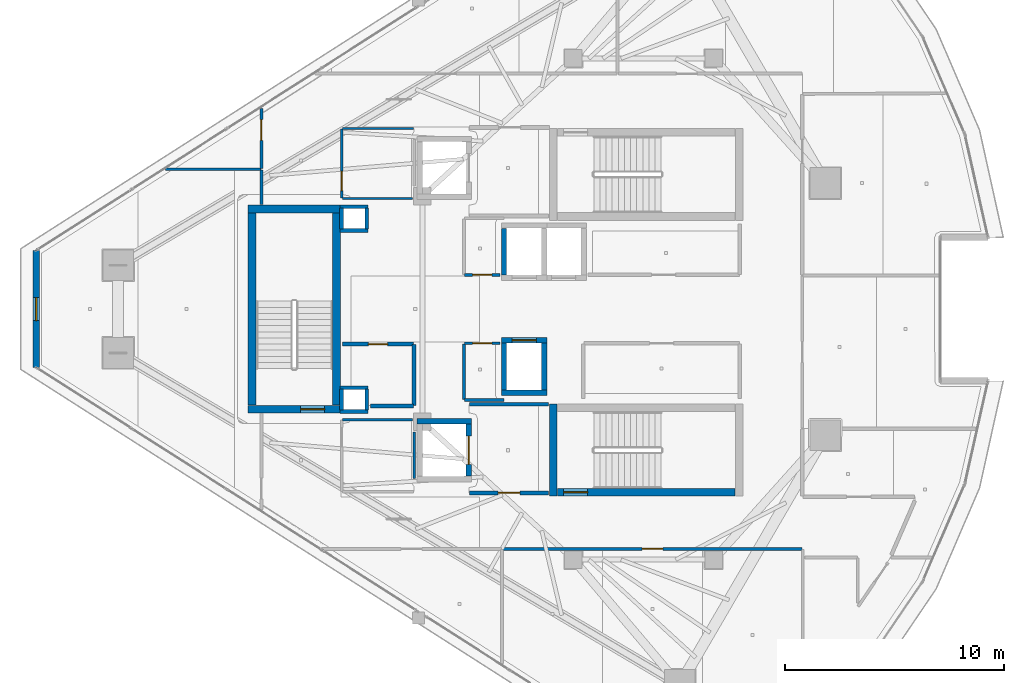
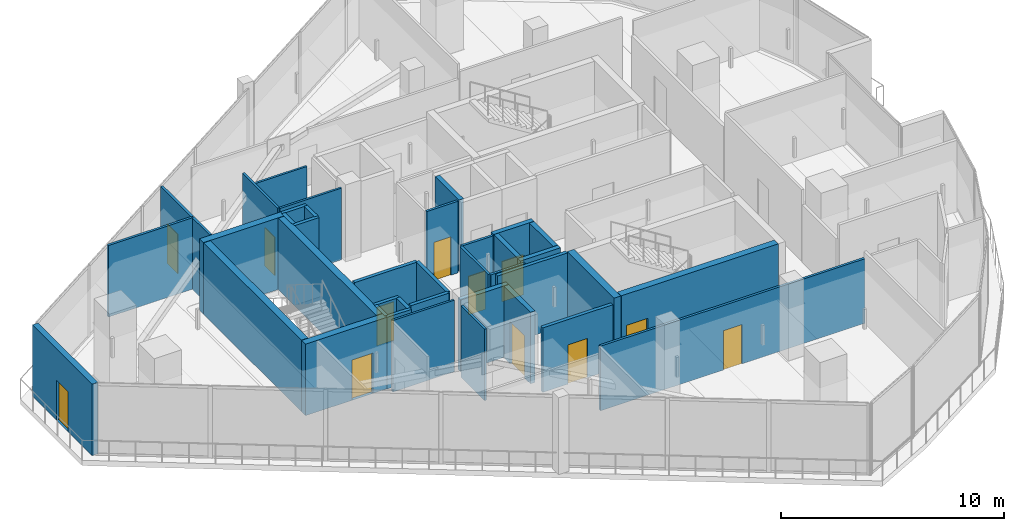
# One storey, part 17 of 25: 40 walls, 12 doors, 12 openings.
"""IFC4 building model written with IfcOpenShell, lengths in metres."""

import ifcopenshell
import ifcopenshell.guid

model = None  # the IFC model being written
_history = None  # IfcOwnerHistory: only IFC2X3 demands one
_inside = {}  # id of a spatial element -> (the spatial element, [elements in it])
_under = {}  # id of a project, library or spatial element -> (it, [spatial elements below it])
_declared = {}  # id of a project -> (the project, [libraries it declares])
_typed = {}  # id of a type object -> (the type object, [elements of that type])
_made_of = {}  # id of a material, layer set ... -> (it, [elements and type objects made of it])


def new_model(schema):
    """Start an empty IFC model of exactly this schema.

    Asked for "IFC4X3", IfcOpenShell would pick the latest addendum, in which some entities
    have other attributes; the version numbers below select the first issue.
    IFC2X3 requires an IfcOwnerHistory on every rooted entity: one is made here for all.
    """
    global model, _history
    if schema == "IFC4X3":
        model = ifcopenshell.file(schema_version=(4, 3, 0, 0))
    else:
        model = ifcopenshell.file(schema=schema)
    _inside.clear()
    _under.clear()
    _declared.clear()
    _typed.clear()
    _made_of.clear()
    _history = None
    if model.schema == "IFC2X3":
        org = make("IfcOrganization", Name="unknown")
        user = make(
            "IfcPersonAndOrganization",
            ThePerson=make("IfcPerson", FamilyName="unknown"),
            TheOrganization=org,
        )
        app = make(
            "IfcApplication",
            ApplicationDeveloper=org,
            Version="unknown",
            ApplicationFullName="unknown",
            ApplicationIdentifier="unknown",
        )
        _history = make(
            "IfcOwnerHistory",
            OwningUser=user,
            OwningApplication=app,
            ChangeAction="ADDED",
            CreationDate=0,
        )
    return model


def make(cls, **values):
    """One entity of the class cls with the attributes given. An attribute that is None is left unset."""
    return model.create_entity(
        cls, **{name: value for name, value in values.items() if value is not None}
    )


def rooted(cls, **values):
    """An entity with a GlobalId (a new one), such as an element, a storey or a relation."""
    return make(cls, GlobalId=ifcopenshell.guid.new(), OwnerHistory=_history, **values)


def si_unit(unit_type, name, prefix=None):
    """IfcSIUnit, for example si_unit("LENGTHUNIT", "METRE", prefix="MILLI")."""
    return make("IfcSIUnit", UnitType=unit_type, Prefix=prefix, Name=name)


def assignment(units):
    """IfcUnitAssignment: the units of a project."""
    return None if units is None else make("IfcUnitAssignment", Units=units)


def point(xyz):
    """IfcCartesianPoint."""
    return None if xyz is None else make("IfcCartesianPoint", Coordinates=xyz)


def direction(xyz):
    """IfcDirection."""
    return None if xyz is None else make("IfcDirection", DirectionRatios=xyz)


def frame(location, z_axis=None, x_axis=None):
    """IfcAxis2Placement3D, a coordinate frame: its origin and axes. An axis left out is left unset."""
    return make(
        "IfcAxis2Placement3D",
        Location=point(location),
        Axis=direction(z_axis),
        RefDirection=direction(x_axis),
    )


def frame_2d(location, x_axis=None):
    """IfcAxis2Placement2D, a coordinate frame in the plane: its origin and x axis."""
    return make(
        "IfcAxis2Placement2D", Location=point(location), RefDirection=direction(x_axis)
    )


def origin():
    """The frame at (0, 0, 0) with its axes left unset."""
    return frame((0.0, 0.0, 0.0))


def place(relative_to, where):
    """IfcLocalPlacement: puts the frame where relative to a parent placement (None: the world)."""
    return make(
        "IfcLocalPlacement", PlacementRelTo=relative_to, RelativePlacement=where
    )


def context(
    kind, dimensions, precision=None, world=None, true_north=None, identifier=None
):
    """IfcGeometricRepresentationContext, for example the 3D "Model" context."""
    return make(
        "IfcGeometricRepresentationContext",
        ContextIdentifier=identifier,
        ContextType=kind,
        CoordinateSpaceDimension=dimensions,
        Precision=precision,
        WorldCoordinateSystem=world,
        TrueNorth=true_north,
    )


def subcontext(parent, identifier, kind, view, scale=None):
    """IfcGeometricRepresentationSubContext, for example "Body" below "Model"."""
    return make(
        "IfcGeometricRepresentationSubContext",
        ContextIdentifier=identifier,
        ContextType=kind,
        ParentContext=parent,
        TargetScale=scale,
        TargetView=view,
    )


def project(units=None, contexts=None):
    """IfcProject with its units and contexts."""
    return rooted(
        "IfcProject",
        Name="project",
        RepresentationContexts=contexts,
        UnitsInContext=assignment(units),
    )


def spatial(cls, under=None, at=None, **own):
    """A site, building, storey or space (cls), placed at a placement, below another one or the project."""
    s = rooted(cls, ObjectPlacement=at, **own)
    if under is not None:
        _under.setdefault(under.id(), (under, []))[1].append(s)
    return s


def profile(cls, at=None, kind="AREA", **sizes):
    """A parametric profile (cls). Its sizes go by their IFC names, for example OverallWidth=200.0."""
    return make(cls, ProfileType=kind, Position=at, **sizes)


def rectangle(**sizes):
    """IfcRectangleProfileDef."""
    return profile("IfcRectangleProfileDef", **sizes)


def extrude(swept, where, along, depth):
    """IfcExtrudedAreaSolid: the profile swept, set in the frame where, extruded along a direction by depth."""
    return make(
        "IfcExtrudedAreaSolid",
        SweptArea=swept,
        Position=where,
        ExtrudedDirection=direction(along),
        Depth=depth,
    )


def shape(context_of_items, identifier, shape_type, items):
    """IfcShapeRepresentation: the items that make up one representation, for example the "Body"."""
    return make(
        "IfcShapeRepresentation",
        ContextOfItems=context_of_items,
        RepresentationIdentifier=identifier,
        RepresentationType=shape_type,
        Items=items,
    )


def material(Name=None, Category=None):
    """IfcMaterial."""
    return make("IfcMaterial", Name=Name, Category=Category)


def layer(
    of_material, thickness, ventilated=None, Name=None, Category=None, Priority=None
):
    """IfcMaterialLayer: one layer of a wall or slab, of a material (None: an air gap)."""
    return make(
        "IfcMaterialLayer",
        Material=of_material,
        LayerThickness=thickness,
        IsVentilated=ventilated,
        Name=Name,
        Category=Category,
        Priority=Priority,
    )


def layer_set(layers, Name=None):
    """IfcMaterialLayerSet."""
    return make("IfcMaterialLayerSet", MaterialLayers=layers, LayerSetName=Name)


def made_of(thing, what):
    """Note that an element or type object is made of a material, layer set ...; save() writes the relation."""
    if what is not None:
        _made_of.setdefault(what.id(), (what, []))[1].append(thing)
    return thing


def type_object(cls, material=None, **own):
    """A type object (cls), such as IfcWallType, which elements share."""
    return made_of(rooted(cls, **own), material)


def element(
    cls,
    number,
    at=None,
    inside=None,
    cuts=None,
    type_object=None,
    material=None,
    context=None,
    identifier="Body",
    shape_type=None,
    held_by="IfcProductDefinitionShape",
    body=None,
    shapes=None,
    **own,
):
    """One element of the class cls, such as IfcWall. Its Tag is "e" and its number.

    at: its placement. inside: the storey or other place that contains it. cuts: it is an
    opening in that element (IfcRelVoidsElement). A single representation is given by context,
    identifier, shape_type and body (its items); several are given by shapes. held_by: the class
    of the entity that holds the representations. save() writes the other relations.
    """
    e = rooted(cls, Tag="e%d" % number, ObjectPlacement=at, **own)
    if body is not None:
        shapes = [shape(context, identifier, shape_type, body)]
    if shapes is not None:
        e.Representation = make(held_by, Representations=shapes)
    if inside is not None:
        _inside.setdefault(inside.id(), (inside, []))[1].append(e)
    if cuts is not None:
        rooted(
            "IfcRelVoidsElement", RelatingBuildingElement=cuts, RelatedOpeningElement=e
        )
    if type_object is not None:
        _typed.setdefault(type_object.id(), (type_object, []))[1].append(e)
    return made_of(e, material)


def fill(opening, filler):
    """IfcRelFillsElement: the door or window that sits in an opening."""
    return rooted(
        "IfcRelFillsElement",
        RelatingOpeningElement=opening,
        RelatedBuildingElement=filler,
    )


def aggregate(whole, parts):
    """IfcRelAggregates: a whole, such as a stair, and the parts it consists of."""
    return rooted("IfcRelAggregates", RelatingObject=whole, RelatedObjects=parts)


def save(model, path):
    """Write the relations noted so far, then the file.

    IfcRelAggregates (storeys below a building ...), IfcRelContainedInSpatialStructure (elements
    in a storey), IfcRelDefinesByType, IfcRelAssociatesMaterial and IfcRelDeclares: one each for
    every whole, place, type object, material and project.
    """
    for whole, parts in _under.values():
        aggregate(whole, parts)
    for where, things in _inside.values():
        rooted(
            "IfcRelContainedInSpatialStructure",
            RelatedElements=things,
            RelatingStructure=where,
        )
    for kind, things in _typed.values():
        rooted("IfcRelDefinesByType", RelatedObjects=things, RelatingType=kind)
    for what, things in _made_of.values():
        rooted("IfcRelAssociatesMaterial", RelatedObjects=things, RelatingMaterial=what)
    for by, libraries in _declared.values():
        rooted("IfcRelDeclares", RelatingContext=by, RelatedDefinitions=libraries)
    model.write(path)


model = new_model("IFC4")

# Units and contexts
model_context = context("Model", 3, precision=1e-05, world=origin(), true_north=direction((0.0, 1.0)))
body_context = subcontext(model_context, "Body", "Model", "MODEL_VIEW")
ifc_project = project(units=[si_unit("LENGTHUNIT", "METRE"), si_unit("AREAUNIT", "SQUARE_METRE"), si_unit("VOLUMEUNIT", "CUBIC_METRE"), si_unit("PLANEANGLEUNIT", "RADIAN"), si_unit("MASSUNIT", "GRAM", prefix="KILO")], contexts=[model_context])

# Site, building, storey
site_placement = place(None, origin())
site = spatial("IfcSite", under=ifc_project, at=site_placement, CompositionType="ELEMENT")
building_placement = place(site_placement, origin())
building = spatial("IfcBuilding", under=site, at=building_placement, Name="Qorvath Tower", CompositionType="ELEMENT")
storey_placement = place(building_placement, frame((0.0, 0.0, 314.39990234375)))
storey = spatial("IfcBuildingStorey", under=building, at=storey_placement, Name="L73", CompositionType="ELEMENT", Elevation=314.39990234375)

# Walls
ifc_material_1 = material(Name="Gypsum shaftliner on steel studs", Category="steel")
ifc_layer_1 = layer(ifc_material_1, 0.179931640625)
ifc_layer_set_1 = layer_set([ifc_layer_1], Name="FW-LOBBY")
wall_type_1 = type_object("IfcWallType", Name="FW-LOBBY", PredefinedType="PARTITIONING", material=ifc_layer_set_1)
for number, where, z_axis, x_axis, name in (
    (1, (-32.989990234375, 3.594970703125, 0.0), (0.0, 0.0, 1.0), (-1.0, 0.0, 0.0), "MEP Riser Shaft Enclosure Wall N-L73-S"),
    (2, (-34.260009765625, 4.675048828125, 0.0), (0.0, 0.0, 1.0), (1.0, 0.0, 0.0), "MEP Riser Shaft Enclosure Wall N-L73-N"),
):
    element("IfcWall", number, at=place(storey_placement, frame(where, z_axis=z_axis, x_axis=x_axis)), inside=storey, type_object=wall_type_1, Name=name, PredefinedType="PARTITIONING", context=body_context, shape_type="SweptSolid", body=[
        extrude(rectangle(XDim=1.27001953125, YDim=0.179931640625, at=frame_2d((0.635009765625, 0.0))), origin(), (0.0, 0.0, 1.0), 3.91015625),
    ])
for number, where, z_axis, x_axis, name in (
    (3, (-34.205078125, 3.659912109375, 0.0), (0.0, 0.0, 1.0), (0.0, 1.0, 0.0), "MEP Riser Shaft Enclosure Wall N-L73-W"),
    (4, (-33.044921875, 4.610107421875, 0.0), (0.0, 0.0, 1.0), (0.0, -1.0, 0.0), "MEP Riser Shaft Enclosure Wall N-L73-E"),
):
    element("IfcWall", number, at=place(storey_placement, frame(where, z_axis=z_axis, x_axis=x_axis)), inside=storey, type_object=wall_type_1, Name=name, PredefinedType="PARTITIONING", context=body_context, shape_type="SweptSolid", body=[
        extrude(rectangle(XDim=0.9501953125, YDim=0.179931640625, at=frame_2d((0.47509765625, 0.0))), origin(), (0.0, 0.0, 1.0), 3.91015625),
    ])
for number, where, z_axis, x_axis, name in (
    (5, (-32.989990234375, -4.675048828125, 0.0), (0.0, 0.0, 1.0), (-1.0, 0.0, 0.0), "MEP Riser Shaft Enclosure Wall S-L73-S"),
    (6, (-34.260009765625, -3.594970703125, 0.0), (0.0, 0.0, 1.0), (1.0, 0.0, 0.0), "MEP Riser Shaft Enclosure Wall S-L73-N"),
):
    element("IfcWall", number, at=place(storey_placement, frame(where, z_axis=z_axis, x_axis=x_axis)), inside=storey, type_object=wall_type_1, Name=name, PredefinedType="PARTITIONING", context=body_context, shape_type="SweptSolid", body=[
        extrude(rectangle(XDim=1.27001953125, YDim=0.179931640625, at=frame_2d((0.635009765625, 0.0))), origin(), (0.0, 0.0, 1.0), 3.91015625),
    ])
for number, where, z_axis, x_axis, name in (
    (7, (-34.205078125, -4.610107421875, 0.0), (0.0, 0.0, 1.0), (0.0, 1.0, 0.0), "MEP Riser Shaft Enclosure Wall S-L73-W"),
    (8, (-33.044921875, -3.659912109375, 0.0), (0.0, 0.0, 1.0), (0.0, -1.0, 0.0), "MEP Riser Shaft Enclosure Wall S-L73-E"),
):
    element("IfcWall", number, at=place(storey_placement, frame(where, z_axis=z_axis, x_axis=x_axis)), inside=storey, type_object=wall_type_1, Name=name, PredefinedType="PARTITIONING", context=body_context, shape_type="SweptSolid", body=[
        extrude(rectangle(XDim=0.9501953125, YDim=0.179931640625, at=frame_2d((0.47509765625, 0.0))), origin(), (0.0, 0.0, 1.0), 3.91015625),
    ])

# Wall, opening, door
wall_1_placement = place(storey_placement, frame((-28.35498046875, -8.39990234375, 0.0), z_axis=(0.0, 0.0, 1.0), x_axis=(1.0, 0.0, 0.0)))
wall_1 = element("IfcWall", 9, at=wall_1_placement, inside=storey, type_object=wall_type_1, Name="Interior Partition IW-T1-L73-003", PredefinedType="PARTITIONING", context=body_context, shape_type="SweptSolid", body=[
    extrude(rectangle(XDim=3.6220703125, YDim=0.179931640625, at=frame_2d((1.81103515625, 0.0))), origin(), (0.0, 0.0, 1.0), 3.529052734375),
])
opening_1_placement = place(wall_1_placement, frame((1.31103515625, 0.0, 0.0)))
opening_1 = element("IfcOpeningElement", 10, at=opening_1_placement, cuts=wall_1, Name="Opening D-T1-L73-17", PredefinedType="OPENING", context=body_context, shape_type="SweptSolid", body=[
    extrude(rectangle(XDim=1.0, YDim=2.14990234375, at=frame_2d((0.5, 1.074951171875))), frame((0.0, 0.10009765625, 0.0), z_axis=(0.0, -1.0, 0.0), x_axis=(1.0, 0.0, 0.0)), (0.0, 0.0, 1.0), 0.199951171875),
])
ifc_material_2 = material(Name="Painted galvanised hollow metal", Category="steel")
door_type_1 = type_object("IfcDoorType", Name="FD-60", OperationType="NOTDEFINED", PredefinedType="DOOR", material=ifc_material_2)
door_1_placement = place(opening_1_placement, origin())
door_1 = element("IfcDoor", 11, at=door_1_placement, inside=storey, type_object=door_type_1, Name="Lobby Fire Service Elevator South Door D-T1-L73-17", OperationType="SINGLE_SWING_RIGHT", OverallHeight=2.14990234375, OverallWidth=1.0, PredefinedType="DOOR", context=body_context, shape_type="SweptSolid", body=[
    extrude(rectangle(XDim=1.0, YDim=2.14990234375, at=frame_2d((0.5, 1.074951171875))), frame((0.0, 0.02490234375, 0.0), z_axis=(0.0, -1.0, 0.0), x_axis=(1.0, 0.0, 0.0)), (0.0, 0.0, 1.0), 0.050048828125),
])
fill(opening_1, door_1)

# Walls
wall_2_placement = place(storey_placement, frame((-24.73291015625, -4.35009765625, 0.0), z_axis=(0.0, 0.0, 1.0), x_axis=(-1.0, 0.0, 0.0)))
element("IfcWall", 12, at=wall_2_placement, inside=storey, type_object=wall_type_1, Name="Interior Partition IW-T1-L73-004", PredefinedType="PARTITIONING", context=body_context, shape_type="SweptSolid", body=[
    extrude(rectangle(XDim=3.6220703125, YDim=0.179931640625, at=frame_2d((1.81103515625, 0.0))), origin(), (0.0, 0.0, 1.0), 3.91015625),
])
wall_3_placement = place(storey_placement, frame((-32.8798828125, -4.419921875, 0.0), z_axis=(0.0, 0.0, 1.0), x_axis=(1.0, 0.0, 0.0)))
element("IfcWall", 13, at=wall_3_placement, inside=storey, type_object=wall_type_1, Name="Interior Partition IW-T1-L73-024", PredefinedType="PARTITIONING", context=body_context, shape_type="SweptSolid", body=[
    extrude(rectangle(XDim=1.97509765625, YDim=0.179931640625, at=frame_2d((0.987548828125, 0.0))), origin(), (0.0, 0.0, 1.0), 3.91015625),
])
wall_4_placement = place(storey_placement, frame((-30.8798828125, -4.39501953125, 0.0), z_axis=(0.0, 0.0, 1.0), x_axis=(0.0, 1.0, 0.0)))
element("IfcWall", 14, at=wall_4_placement, inside=storey, type_object=wall_type_1, Name="Interior Partition IW-T1-L73-025", PredefinedType="PARTITIONING", context=body_context, shape_type="SweptSolid", body=[
    extrude(rectangle(XDim=2.77001953125, YDim=0.179931640625, at=frame_2d((1.385009765625, 0.0))), origin(), (0.0, 0.0, 1.0), 3.91015625),
])

# Wall, opening, door
wall_5_placement = place(storey_placement, frame((-30.90478515625, -1.60009765625, 0.0), z_axis=(0.0, 0.0, 1.0), x_axis=(-1.0, 0.0, 0.0)))
wall_5 = element("IfcWall", 15, at=wall_5_placement, inside=storey, type_object=wall_type_1, Name="Interior Partition IW-T1-L73-026", PredefinedType="PARTITIONING", context=body_context, shape_type="SweptSolid", body=[
    extrude(rectangle(XDim=3.25, YDim=0.179931640625, at=frame_2d((1.625, 0.0))), origin(), (0.0, 0.0, 1.0), 3.91015625),
])
opening_2_placement = place(wall_5_placement, frame((1.18505859375, 0.0, 0.0)))
opening_2 = element("IfcOpeningElement", 16, at=opening_2_placement, cuts=wall_5, Name="Opening D-T1-L73-07", PredefinedType="OPENING", context=body_context, shape_type="SweptSolid", body=[
    extrude(rectangle(XDim=0.8798828125, YDim=2.10009765625, at=frame_2d((0.43994140625, 1.050048828125))), frame((0.0, 0.10009765625, 0.0), z_axis=(0.0, -1.0, 0.0), x_axis=(1.0, 0.0, 0.0)), (0.0, 0.0, 1.0), 0.199951171875),
])
ifc_material_3 = material(Name="Painted galvanised hollow metal", Category="steel")
door_type_2 = type_object("IfcDoorType", Name="FD-60N", OperationType="NOTDEFINED", PredefinedType="DOOR", material=ifc_material_3)
door_2_placement = place(opening_2_placement, origin())
door_2 = element("IfcDoor", 17, at=door_2_placement, inside=storey, type_object=door_type_2, Name="Core cleaner and electrical room L73 Door D-T1-L73-07", OperationType="SINGLE_SWING_RIGHT", OverallHeight=2.10009765625, OverallWidth=0.8798828125, PredefinedType="DOOR", context=body_context, shape_type="SweptSolid", body=[
    extrude(rectangle(XDim=0.8798828125, YDim=2.10009765625, at=frame_2d((0.43994140625, 1.050048828125))), frame((0.0, 0.02490234375, 0.0), z_axis=(0.0, -1.0, 0.0), x_axis=(1.0, 0.0, 0.0)), (0.0, 0.0, 1.0), 0.050048828125),
])
fill(opening_2, door_2)

ifc_material_4 = material(Name="Gypsum board on metal studs with mineral wool", Category="gypsum")
ifc_layer_2 = layer(ifc_material_4, 0.125)
ifc_layer_set_2 = layer_set([ifc_layer_2], Name="IW-PART-125")
wall_type_2 = type_object("IfcWallType", Name="IW-PART-125", PredefinedType="PARTITIONING", material=ifc_layer_set_2)
wall_6_placement = place(storey_placement, frame((-28.5751953125, 1.56005859375, 0.0), z_axis=(0.0, 0.0, 1.0), x_axis=(1.0, 0.0, 0.0)))
wall_6 = element("IfcWall", 18, at=wall_6_placement, inside=storey, type_object=wall_type_2, Name="Interior Partition IW-T1-L73-019", PredefinedType="PARTITIONING", context=body_context, shape_type="SweptSolid", body=[
    extrude(rectangle(XDim=1.609130859375, YDim=0.125, at=frame_2d((0.8046875, 0.0))), origin(), (0.0, 0.0, 1.0), 3.91015625),
])
opening_3_placement = place(wall_6_placement, frame((0.364501953125, 0.0, 0.0)))
opening_3 = element("IfcOpeningElement", 19, at=opening_3_placement, cuts=wall_6, Name="Opening D-T1-L73-05", PredefinedType="OPENING", context=body_context, shape_type="SweptSolid", body=[
    extrude(rectangle(XDim=0.8798828125, YDim=2.10009765625, at=frame_2d((0.43994140625, 1.050048828125))), frame((0.0, 0.072509765625, 0.0), z_axis=(0.0, -1.0, 0.0), x_axis=(1.0, 0.0, 0.0)), (0.0, 0.0, 1.0), 0.14501953125),
])
ifc_material_5 = material(Name="Solid-core oak with acoustic drop seal", Category="wood")
door_type_3 = type_object("IfcDoorType", Name="D-02", OperationType="NOTDEFINED", PredefinedType="DOOR", material=ifc_material_5)
door_3_placement = place(opening_3_placement, origin())
door_3 = element("IfcDoor", 20, at=door_3_placement, inside=storey, type_object=door_type_3, Name="L73-RCWN Executive Archive Suite Door D-T1-L73-05", OperationType="SINGLE_SWING_RIGHT", OverallHeight=2.10009765625, OverallWidth=0.8798828125, PredefinedType="DOOR", context=body_context, shape_type="SweptSolid", body=[
    extrude(rectangle(XDim=0.8798828125, YDim=2.10009765625, at=frame_2d((0.43994140625, 1.050048828125))), frame((0.0, 0.02490234375, 0.0), z_axis=(0.0, -1.0, 0.0), x_axis=(1.0, 0.0, 0.0)), (0.0, 0.0, 1.0), 0.050048828125),
])
fill(opening_3, door_3)

# Walls
wall_7_placement = place(storey_placement, frame((-28.60009765625, -1.585205078125, 0.0), z_axis=(0.0, 0.0, 1.0), x_axis=(0.0, -1.0, 0.0)))
element("IfcWall", 21, at=wall_7_placement, inside=storey, type_object=wall_type_2, Name="Interior Partition IW-T1-L73-021", PredefinedType="PARTITIONING", context=body_context, shape_type="SweptSolid", body=[
    extrude(rectangle(XDim=2.539794921875, YDim=0.125, at=frame_2d((1.27001953125, 0.0))), origin(), (0.0, 0.0, 1.0), 3.91015625),
])
wall_8_placement = place(storey_placement, frame((-28.5751953125, -4.14990234375, 0.0), z_axis=(0.0, 0.0, 1.0), x_axis=(1.0, 0.0, 0.0)))
element("IfcWall", 22, at=wall_8_placement, inside=storey, type_object=wall_type_2, Name="Interior Partition IW-T1-L73-022", PredefinedType="PARTITIONING", context=body_context, shape_type="SweptSolid", body=[
    extrude(rectangle(XDim=1.80029296875, YDim=0.125, at=frame_2d((0.900146484375, 0.0))), origin(), (0.0, 0.0, 1.0), 3.91015625),
])

# Wall, opening, door
wall_9_placement = place(storey_placement, frame((-26.966064453125, -1.56005859375, 0.0), z_axis=(0.0, 0.0, 1.0), x_axis=(-1.0, 0.0, 0.0)))
wall_9 = element("IfcWall", 23, at=wall_9_placement, inside=storey, type_object=wall_type_2, Name="Interior Partition IW-T1-L73-023", PredefinedType="PARTITIONING", context=body_context, shape_type="SweptSolid", body=[
    extrude(rectangle(XDim=1.609130859375, YDim=0.125, at=frame_2d((0.8046875, 0.0))), origin(), (0.0, 0.0, 1.0), 3.91015625),
])
opening_4_placement = place(wall_9_placement, frame((0.364501953125, 0.0, 0.0)))
opening_4 = element("IfcOpeningElement", 24, at=opening_4_placement, cuts=wall_9, Name="Opening D-T1-L73-06", PredefinedType="OPENING", context=body_context, shape_type="SweptSolid", body=[
    extrude(rectangle(XDim=0.8798828125, YDim=2.10009765625, at=frame_2d((0.43994140625, 1.050048828125))), frame((0.0, 0.072509765625, 0.0), z_axis=(0.0, -1.0, 0.0), x_axis=(1.0, 0.0, 0.0)), (0.0, 0.0, 1.0), 0.14501953125),
])
door_4_placement = place(opening_4_placement, origin())
door_4 = element("IfcDoor", 25, at=door_4_placement, inside=storey, type_object=door_type_3, Name="L73-RCWS Executive Archive Suite Door D-T1-L73-06", OperationType="SINGLE_SWING_LEFT", OverallHeight=2.10009765625, OverallWidth=0.8798828125, PredefinedType="DOOR", context=body_context, shape_type="SweptSolid", body=[
    extrude(rectangle(XDim=0.8798828125, YDim=2.10009765625, at=frame_2d((0.43994140625, 1.050048828125))), frame((0.0, 0.02490234375, 0.0), z_axis=(0.0, -1.0, 0.0), x_axis=(1.0, 0.0, 0.0)), (0.0, 0.0, 1.0), 0.050048828125),
])
fill(opening_4, door_4)

wall_10_placement = place(storey_placement, frame((-13.15478515625, -10.9580078125, 0.0), z_axis=(0.0, 0.0, 1.0), x_axis=(-1.0, 0.0, 0.0)))
wall_10 = element("IfcWall", 26, at=wall_10_placement, inside=storey, type_object=wall_type_2, Name="Interior Partition IW-T1-L73-033", PredefinedType="PARTITIONING", context=body_context, shape_type="SweptSolid", body=[
    extrude(rectangle(XDim=13.677001953125, YDim=0.125, at=frame_2d((6.83837890625, 0.0))), origin(), (0.0, 0.0, 1.0), 3.529052734375),
])
opening_5_placement = place(wall_10_placement, frame((6.363525390625, 0.0, 0.0)))
opening_5 = element("IfcOpeningElement", 27, at=opening_5_placement, cuts=wall_10, Name="Opening D-T1-L73-10", PredefinedType="OPENING", context=body_context, shape_type="SweptSolid", body=[
    extrude(rectangle(XDim=0.949951171875, YDim=2.14990234375, at=frame_2d((0.47509765625, 1.074951171875))), frame((0.0, 0.072509765625, 0.0), z_axis=(0.0, -1.0, 0.0), x_axis=(1.0, 0.0, 0.0)), (0.0, 0.0, 1.0), 0.14501953125),
])
ifc_material_6 = material(Name="Solid-core American white oak veneer", Category="wood")
door_type_4 = type_object("IfcDoorType", Name="D-01", OperationType="NOTDEFINED", PredefinedType="DOOR", material=ifc_material_6)
door_5_placement = place(opening_5_placement, origin())
door_5 = element("IfcDoor", 28, at=door_5_placement, inside=storey, type_object=door_type_4, Name="L73-04 Design Pin-Up Atelier Door D-T1-L73-10", OperationType="SINGLE_SWING_LEFT", OverallHeight=2.14990234375, OverallWidth=0.949951171875, PredefinedType="DOOR", context=body_context, shape_type="SweptSolid", body=[
    extrude(rectangle(XDim=0.949951171875, YDim=2.14990234375, at=frame_2d((0.47509765625, 1.074951171875))), frame((0.0, 0.02490234375, 0.0), z_axis=(0.0, -1.0, 0.0), x_axis=(1.0, 0.0, 0.0)), (0.0, 0.0, 1.0), 0.050048828125),
])
fill(opening_5, door_5)

# Walls
wall_11_placement = place(storey_placement, frame((-37.85791015625, 4.783203125, 0.0), z_axis=(0.0, 0.0, 1.0), x_axis=(0.0, 1.0, 0.0)))
element("IfcWall", 29, at=wall_11_placement, inside=storey, type_object=wall_type_2, Name="Interior Partition IW-T1-L73-047", PredefinedType="PARTITIONING", context=body_context, shape_type="SweptSolid", body=[
    extrude(rectangle(XDim=1.581298828125, YDim=0.125, at=frame_2d((0.79052734375, 0.0))), origin(), (0.0, 0.0, 1.0), 3.91015625),
])
wall_12_placement = place(storey_placement, frame((-37.8828125, 6.3896484375, 0.0), z_axis=(0.0, 0.0, 1.0), x_axis=(-0.999999998438, 5.5890901e-05, 0.0)))
element("IfcWall", 30, at=wall_12_placement, inside=storey, type_object=wall_type_2, Name="Interior Partition IW-T1-L73-048", PredefinedType="PARTITIONING", context=body_context, shape_type="SweptSolid", body=[
    extrude(rectangle(XDim=4.3681640625, YDim=0.125, at=frame_2d((2.18408203125, 0.0))), origin(), (0.0, 0.0, 1.0), 3.91015625),
])

# Wall, opening, door
wall_13_placement = place(storey_placement, frame((-37.85791015625, 6.422607421875, 0.0), z_axis=(0.0, 0.0, 1.0), x_axis=(0.0, 1.0, 0.0)))
wall_13 = element("IfcWall", 31, at=wall_13_placement, inside=storey, type_object=wall_type_2, Name="Interior Partition IW-T1-L73-049", PredefinedType="PARTITIONING", context=body_context, shape_type="SweptSolid", body=[
    extrude(rectangle(XDim=2.74609375, YDim=0.125, at=frame_2d((1.373046875, 0.0))), origin(), (0.0, 0.0, 1.0), 3.91015625),
])
opening_6_placement = place(wall_13_placement, frame((1.282958984375, 0.0, 0.0)))
opening_6 = element("IfcOpeningElement", 32, at=opening_6_placement, cuts=wall_13, Name="Opening D-T1-L73-15", PredefinedType="OPENING", context=body_context, shape_type="SweptSolid", body=[
    extrude(rectangle(XDim=0.949951171875, YDim=2.14990234375, at=frame_2d((0.47509765625, 1.074951171875))), frame((0.0, 0.072509765625, 0.0), z_axis=(0.0, -1.0, 0.0), x_axis=(1.0, 0.0, 0.0)), (0.0, 0.0, 1.0), 0.14501953125),
])
door_6_placement = place(opening_6_placement, origin())
door_6 = element("IfcDoor", 33, at=door_6_placement, inside=storey, type_object=door_type_4, Name="L73-10 Staff Refreshment Pantry and Coffee Bar Door D-T1-L73-15", OperationType="SINGLE_SWING_RIGHT", OverallHeight=2.14990234375, OverallWidth=0.949951171875, PredefinedType="DOOR", context=body_context, shape_type="SweptSolid", body=[
    extrude(rectangle(XDim=0.949951171875, YDim=2.14990234375, at=frame_2d((0.47509765625, 1.074951171875))), frame((0.0, 0.02490234375, 0.0), z_axis=(0.0, -1.0, 0.0), x_axis=(1.0, 0.0, 0.0)), (0.0, 0.0, 1.0), 0.050048828125),
])
fill(opening_6, door_6)

ifc_material_7 = material(Name="Moisture-resistant cement board on metal studs", Category="gypsum")
ifc_layer_3 = layer(ifc_material_7, 0.110107421875)
ifc_layer_set_3 = layer_set([ifc_layer_3], Name="IW-WC-110")
wall_type_3 = type_object("IfcWallType", Name="IW-WC-110", PredefinedType="PARTITIONING", material=ifc_layer_set_3)
wall_14_placement = place(storey_placement, frame((-34.179931640625, 8.22509765625, 0.0), z_axis=(0.0, 0.0, 1.0), x_axis=(0.0, -1.0, 0.0)))
wall_14 = element("IfcWall", 34, at=wall_14_placement, inside=storey, type_object=wall_type_3, Name="Interior Partition IW-T1-L73-005", PredefinedType="PARTITIONING", context=body_context, shape_type="SweptSolid", body=[
    extrude(rectangle(XDim=3.150146484375, YDim=0.110107421875, at=frame_2d((1.5751953125, 0.0))), origin(), (0.0, 0.0, 1.0), 3.91015625),
])
opening_7_placement = place(wall_14_placement, frame((1.93017578125, 0.0, 0.0)))
opening_7 = element("IfcOpeningElement", 35, at=opening_7_placement, cuts=wall_14, Name="Opening D-T1-L73-01", PredefinedType="OPENING", context=body_context, shape_type="SweptSolid", body=[
    extrude(rectangle(XDim=0.8798828125, YDim=2.10009765625, at=frame_2d((0.43994140625, 1.050048828125))), frame((0.0, 0.06494140625, 0.0), z_axis=(0.0, -1.0, 0.0), x_axis=(1.0, 0.0, 0.0)), (0.0, 0.0, 1.0), 0.130126953125),
])
door_7_placement = place(opening_7_placement, origin())
door_7 = element("IfcDoor", 36, at=door_7_placement, inside=storey, type_object=door_type_3, Name="Accessible WC North L73 Door D-T1-L73-01", OperationType="SINGLE_SWING_RIGHT", OverallHeight=2.10009765625, OverallWidth=0.8798828125, PredefinedType="DOOR", context=body_context, shape_type="SweptSolid", body=[
    extrude(rectangle(XDim=0.8798828125, YDim=2.10009765625, at=frame_2d((0.43994140625, 1.050048828125))), frame((0.0, 0.02490234375, 0.0), z_axis=(0.0, -1.0, 0.0), x_axis=(1.0, 0.0, 0.0)), (0.0, 0.0, 1.0), 0.050048828125),
])
fill(opening_7, door_7)

# Walls
wall_15_placement = place(storey_placement, frame((-34.15478515625, 5.050048828125, 0.0), z_axis=(0.0, 0.0, 1.0), x_axis=(1.0, 0.0, 0.0)))
element("IfcWall", 37, at=wall_15_placement, inside=storey, type_object=wall_type_3, Name="Interior Partition IW-T1-L73-006", PredefinedType="PARTITIONING", context=body_context, shape_type="SweptSolid", body=[
    extrude(rectangle(XDim=3.189697265625, YDim=0.110107421875, at=frame_2d((1.5947265625, 0.0))), origin(), (0.0, 0.0, 1.0), 3.91015625),
])
wall_16_placement = place(storey_placement, frame((-30.90478515625, 8.25, 0.0), z_axis=(0.0, 0.0, 1.0), x_axis=(-1.0, 0.0, 0.0)))
element("IfcWall", 38, at=wall_16_placement, inside=storey, type_object=wall_type_3, Name="Interior Partition IW-T1-L73-008", PredefinedType="PARTITIONING", context=body_context, shape_type="SweptSolid", body=[
    extrude(rectangle(XDim=3.25, YDim=0.110107421875, at=frame_2d((1.625, 0.0))), origin(), (0.0, 0.0, 1.0), 3.130126953125),
])
wall_17_placement = place(storey_placement, frame((-30.8798828125, -7.742919921875, 0.0), z_axis=(0.0, 0.0, 1.0), x_axis=(0.0, 1.0, 0.0)))
element("IfcWall", 39, at=wall_17_placement, inside=storey, type_object=wall_type_3, Name="Interior Partition IW-T1-L73-010", PredefinedType="PARTITIONING", context=body_context, shape_type="SweptSolid", body=[
    extrude(rectangle(XDim=2.1279296875, YDim=0.110107421875, at=frame_2d((1.06396484375, 0.0))), origin(), (0.0, 0.0, 1.0), 3.91015625),
])
wall_18_placement = place(storey_placement, frame((-30.965087890625, -5.050048828125, 0.0), z_axis=(0.0, 0.0, 1.0), x_axis=(-1.0, 0.0, 0.0)))
element("IfcWall", 40, at=wall_18_placement, inside=storey, type_object=wall_type_3, Name="Interior Partition IW-T1-L73-011", PredefinedType="PARTITIONING", context=body_context, shape_type="SweptSolid", body=[
    extrude(rectangle(XDim=3.189697265625, YDim=0.110107421875, at=frame_2d((1.5947265625, 0.0))), origin(), (0.0, 0.0, 1.0), 3.91015625),
])
ifc_material_8 = material(Name="Concrete C60/75", Category="concrete")
ifc_layer_4 = layer(ifc_material_8, 0.260009765625)
ifc_layer_set_4 = layer_set([ifc_layer_4], Name="SW-SHAFT")
wall_type_4 = type_object("IfcWallType", Name="SW-SHAFT", PredefinedType="SHEAR", material=ifc_layer_set_4)
wall_19_placement = place(storey_placement, frame((-30.739990234375, -5.1298828125, 0.0), z_axis=(0.0, 0.0, 1.0), x_axis=(1.0, 0.0, 0.0)))
element("IfcWall", 41, at=wall_19_placement, inside=storey, type_object=wall_type_4, Name="Hoistway Wall FSAE-2 L73 N", PredefinedType="SHEAR", context=body_context, shape_type="SweptSolid", body=[
    extrude(rectangle(XDim=2.47998046875, YDim=0.239990234375, at=frame_2d((1.239990234375, 0.0))), origin(), (0.0, 0.0, 1.0), 3.91015625),
])

# Wall, opening, door
wall_20_placement = place(storey_placement, frame((-28.3798828125, -5.261962890625, 0.0), z_axis=(0.0, 0.0, 1.0), x_axis=(0.0, -1.0, 0.0)))
wall_20 = element("IfcWall", 42, at=wall_20_placement, inside=storey, type_object=wall_type_4, Name="Hoistway Wall FSAE-2 L73 E", PredefinedType="SHEAR", context=body_context, shape_type="SweptSolid", body=[
    extrude(rectangle(XDim=2.3759765625, YDim=0.239990234375, at=frame_2d((1.18798828125, 0.0))), origin(), (0.0, 0.0, 1.0), 3.91015625),
])
opening_8_placement = place(wall_20_placement, frame((0.5380859375, 0.0, 0.0)))
opening_8 = element("IfcOpeningElement", 43, at=opening_8_placement, cuts=wall_20, Name="Opening LD-FSAE-2-L73", PredefinedType="OPENING", context=body_context, shape_type="SweptSolid", body=[
    extrude(rectangle(XDim=1.300048828125, YDim=2.300048828125, at=frame_2d((0.64990234375, 1.14990234375))), frame((0.0, 0.1298828125, 0.0), z_axis=(0.0, -1.0, 0.0), x_axis=(1.0, 0.0, 0.0)), (0.0, 0.0, 1.0), 0.260009765625),
])
ifc_material_9 = material(Name="Brushed stainless steel AISI 316", Category="steel")
door_type_5 = type_object("IfcDoorType", Name="LD-02", OperationType="NOTDEFINED", PredefinedType="DOOR", material=ifc_material_9)
door_8_placement = place(opening_8_placement, origin())
door_8 = element("IfcDoor", 44, at=door_8_placement, inside=storey, type_object=door_type_5, Name="Elevator Landing Sliding Door LD-FSAE-2-L73", OperationType="DOUBLE_DOOR_SLIDING", OverallHeight=2.300048828125, OverallWidth=1.300048828125, PredefinedType="DOOR", context=body_context, shape_type="SweptSolid", body=[
    extrude(rectangle(XDim=1.300048828125, YDim=2.300048828125, at=frame_2d((0.64990234375, 1.14990234375))), frame((0.0, 0.02490234375, 0.0), z_axis=(0.0, -1.0, 0.0), x_axis=(1.0, 0.0, 0.0)), (0.0, 0.0, 1.0), 0.050048828125),
])
fill(opening_8, door_8)

# Walls
wall_21_placement = place(storey_placement, frame((-26.77001953125, 1.56201171875, 0.0), z_axis=(0.0, 0.0, 1.0), x_axis=(0.0, 1.0, 0.0)))
element("IfcWall", 45, at=wall_21_placement, inside=storey, type_object=wall_type_4, Name="Hoistway Wall PH-1 L73 W", PredefinedType="SHEAR", context=body_context, shape_type="SweptSolid", body=[
    extrude(rectangle(XDim=2.1259765625, YDim=0.239990234375, at=frame_2d((1.06298828125, 0.0))), origin(), (0.0, 0.0, 1.0), 3.91015625),
])
wall_22_placement = place(storey_placement, frame((-24.81005859375, -3.820068359375, 0.0), z_axis=(0.0, 0.0, 1.0), x_axis=(-1.0, 0.0, 0.0)))
element("IfcWall", 46, at=wall_22_placement, inside=storey, type_object=wall_type_4, Name="Hoistway Wall PH-3 L73 S", PredefinedType="SHEAR", context=body_context, shape_type="SweptSolid", body=[
    extrude(rectangle(XDim=2.079833984375, YDim=0.239990234375, at=frame_2d((1.0400390625, 0.0))), origin(), (0.0, 0.0, 1.0), 3.91015625),
])

# Wall, opening, door
wall_23_placement = place(storey_placement, frame((-26.889892578125, -1.429931640625, 0.0), z_axis=(0.0, 0.0, 1.0), x_axis=(1.0, 0.0, 0.0)))
wall_23 = element("IfcWall", 47, at=wall_23_placement, inside=storey, type_object=wall_type_4, Name="Hoistway Wall PH-3 L73 N", PredefinedType="SHEAR", context=body_context, shape_type="SweptSolid", body=[
    extrude(rectangle(XDim=2.079833984375, YDim=0.239990234375, at=frame_2d((1.0400390625, 0.0))), origin(), (0.0, 0.0, 1.0), 3.91015625),
])
opening_9_placement = place(wall_23_placement, frame((0.48974609375, 0.0, 0.0)))
opening_9 = element("IfcOpeningElement", 48, at=opening_9_placement, cuts=wall_23, Name="Opening LD-PH-3-L73", PredefinedType="OPENING", context=body_context, shape_type="SweptSolid", body=[
    extrude(rectangle(XDim=1.10009765625, YDim=2.199951171875, at=frame_2d((0.550048828125, 1.10009765625))), frame((0.0, 0.1298828125, 0.0), z_axis=(0.0, -1.0, 0.0), x_axis=(1.0, 0.0, 0.0)), (0.0, 0.0, 1.0), 0.260009765625),
])
ifc_material_10 = material(Name="Brushed stainless steel AISI 316", Category="steel")
door_type_6 = type_object("IfcDoorType", Name="LD-01", OperationType="NOTDEFINED", PredefinedType="DOOR", material=ifc_material_10)
door_9_placement = place(opening_9_placement, origin())
door_9 = element("IfcDoor", 49, at=door_9_placement, inside=storey, type_object=door_type_6, Name="Elevator Landing Sliding Door LD-PH-3-L73", OperationType="DOUBLE_DOOR_SLIDING", OverallHeight=2.199951171875, OverallWidth=1.10009765625, PredefinedType="DOOR", context=body_context, shape_type="SweptSolid", body=[
    extrude(rectangle(XDim=1.10009765625, YDim=2.199951171875, at=frame_2d((0.550048828125, 1.10009765625))), frame((0.0, 0.02490234375, 0.0), z_axis=(0.0, -1.0, 0.0), x_axis=(1.0, 0.0, 0.0)), (0.0, 0.0, 1.0), 0.050048828125),
])
fill(opening_9, door_9)

# Walls
for number, where, z_axis, x_axis, name in (
    (50, (-26.77001953125, -3.68798828125, 0.0), (0.0, 0.0, 1.0), (0.0, 1.0, 0.0), "Hoistway Wall PH-3 L73 W"),
    (51, (-24.929931640625, -1.56201171875, 0.0), (0.0, 0.0, 1.0), (0.0, -1.0, 0.0), "Hoistway Wall PH-3 L73 E"),
):
    element("IfcWall", number, at=place(storey_placement, frame(where, z_axis=z_axis, x_axis=x_axis)), inside=storey, type_object=wall_type_4, Name=name, PredefinedType="SHEAR", context=body_context, shape_type="SweptSolid", body=[
        extrude(rectangle(XDim=2.1259765625, YDim=0.239990234375, at=frame_2d((1.06298828125, 0.0))), origin(), (0.0, 0.0, 1.0), 3.91015625),
    ])
ifc_material_11 = material(Name="Concrete C60/75", Category="concrete")
ifc_layer_5 = layer(ifc_material_11, 0.35009765625)
ifc_layer_set_5 = layer_set([ifc_layer_5], Name="SW-STAIR")
wall_type_5 = type_object("IfcWallType", Name="SW-STAIR", PredefinedType="SHEAR", material=ifc_layer_set_5)
wall_24_placement = place(storey_placement, frame((-24.52490234375, -4.340087890625, 0.0), z_axis=(0.0, 0.0, 1.0), x_axis=(0.0, -1.0, 0.0)))
element("IfcWall", 52, at=wall_24_placement, inside=storey, type_object=wall_type_5, Name="Stair TS2 Shear Wall L73 NEAR", PredefinedType="SHEAR", context=body_context, shape_type="SweptSolid", body=[
    extrude(rectangle(XDim=4.2099609375, YDim=0.35009765625, at=frame_2d((2.10498046875, 0.0))), origin(), (0.0, 0.0, 1.0), 3.91015625),
])

# Wall, opening, door
wall_25_placement = place(storey_placement, frame((-24.3349609375, -8.375, 0.0), z_axis=(0.0, 0.0, 1.0), x_axis=(1.0, 0.0, 0.0)))
wall_25 = element("IfcWall", 53, at=wall_25_placement, inside=storey, type_object=wall_type_5, Name="Stair TS2 Shear Wall L73 LEFT", PredefinedType="SHEAR", context=body_context, shape_type="SweptSolid", body=[
    extrude(rectangle(XDim=8.119873046875, YDim=0.35009765625, at=frame_2d((4.06005859375, 0.0))), origin(), (0.0, 0.0, 1.0), 3.91015625),
])
opening_10_placement = place(wall_25_placement, frame((0.280029296875, 0.0, 0.0)))
opening_10 = element("IfcOpeningElement", 54, at=opening_10_placement, cuts=wall_25, Name="Opening D-TS2-L73", PredefinedType="OPENING", context=body_context, shape_type="SweptSolid", body=[
    extrude(rectangle(XDim=1.10009765625, YDim=2.199951171875, at=frame_2d((0.550048828125, 1.10009765625))), frame((0.0, 0.18505859375, 0.0), z_axis=(0.0, -1.0, 0.0), x_axis=(1.0, 0.0, 0.0)), (0.0, 0.0, 1.0), 0.3701171875),
])
ifc_material_12 = material(Name="Painted galvanised hollow metal", Category="steel")
door_type_7 = type_object("IfcDoorType", Name="FD-90", OperationType="NOTDEFINED", PredefinedType="DOOR", material=ifc_material_12)
door_10_placement = place(opening_10_placement, origin())
door_10 = element("IfcDoor", 55, at=door_10_placement, inside=storey, type_object=door_type_7, Name="Stair TS2 Fire Door L73", OperationType="SINGLE_SWING_RIGHT", OverallHeight=2.199951171875, OverallWidth=1.10009765625, PredefinedType="DOOR", context=body_context, shape_type="SweptSolid", body=[
    extrude(rectangle(XDim=1.10009765625, YDim=2.199951171875, at=frame_2d((0.550048828125, 1.10009765625))), frame((0.0, 0.02490234375, 0.0), z_axis=(0.0, -1.0, 0.0), x_axis=(1.0, 0.0, 0.0)), (0.0, 0.0, 1.0), 0.050048828125),
])
fill(opening_10, door_10)

wall_26_placement = place(storey_placement, frame((-38.4599609375, -4.574951171875, 0.0), z_axis=(0.0, 0.0, 1.0), x_axis=(1.0, 0.0, 0.0)))
wall_26 = element("IfcWall", 56, at=wall_26_placement, inside=storey, type_object=wall_type_5, Name="Stair TS3 Shear Wall L73 NEAR", PredefinedType="SHEAR", context=body_context, shape_type="SweptSolid", body=[
    extrude(rectangle(XDim=4.2099609375, YDim=0.35009765625, at=frame_2d((2.10498046875, 0.0))), origin(), (0.0, 0.0, 1.0), 3.91015625),
])
opening_11_placement = place(wall_26_placement, frame((2.389892578125, 0.0, 0.0)))
opening_11 = element("IfcOpeningElement", 57, at=opening_11_placement, cuts=wall_26, Name="Opening D-TS3-L73", PredefinedType="OPENING", context=body_context, shape_type="SweptSolid", body=[
    extrude(rectangle(XDim=1.10009765625, YDim=2.199951171875, at=frame_2d((0.550048828125, 1.10009765625))), frame((0.0, 0.18505859375, 0.0), z_axis=(0.0, -1.0, 0.0), x_axis=(1.0, 0.0, 0.0)), (0.0, 0.0, 1.0), 0.3701171875),
])
door_11_placement = place(opening_11_placement, origin())
door_11 = element("IfcDoor", 58, at=door_11_placement, inside=storey, type_object=door_type_7, Name="Stair TS3 Fire Door L73", OperationType="SINGLE_SWING_RIGHT", OverallHeight=2.199951171875, OverallWidth=1.10009765625, PredefinedType="DOOR", context=body_context, shape_type="SweptSolid", body=[
    extrude(rectangle(XDim=1.10009765625, YDim=2.199951171875, at=frame_2d((0.550048828125, 1.10009765625))), frame((0.0, 0.02490234375, 0.0), z_axis=(0.0, -1.0, 0.0), x_axis=(1.0, 0.0, 0.0)), (0.0, 0.0, 1.0), 0.050048828125),
])
fill(opening_11, door_11)

# Walls
wall_27_placement = place(storey_placement, frame((-34.25, 4.574951171875, 0.0), z_axis=(0.0, 0.0, 1.0), x_axis=(-1.0, 0.0, 0.0)))
element("IfcWall", 59, at=wall_27_placement, inside=storey, type_object=wall_type_5, Name="Stair TS3 Shear Wall L73 FAR", PredefinedType="SHEAR", context=body_context, shape_type="SweptSolid", body=[
    extrude(rectangle(XDim=4.2099609375, YDim=0.35009765625, at=frame_2d((2.10498046875, 0.0))), origin(), (0.0, 0.0, 1.0), 3.91015625),
])
for number, where, z_axis, x_axis, name in (
    (60, (-34.425048828125, -4.385009765625, 0.0), (0.0, 0.0, 1.0), (0.0, 1.0, 0.0), "Stair TS3 Shear Wall L73 LEFT"),
    (61, (-38.284912109375, 4.385009765625, 0.0), (0.0, 0.0, 1.0), (0.0, -1.0, 0.0), "Stair TS3 Shear Wall L73 RIGHT"),
):
    element("IfcWall", number, at=place(storey_placement, frame(where, z_axis=z_axis, x_axis=x_axis)), inside=storey, type_object=wall_type_5, Name=name, PredefinedType="SHEAR", context=body_context, shape_type="SweptSolid", body=[
        extrude(rectangle(XDim=8.77001953125, YDim=0.35009765625, at=frame_2d((4.385009765625, 0.0))), origin(), (0.0, 0.0, 1.0), 3.91015625),
    ])

# Wall, opening, door
ifc_material_13 = material(Name="Precast concrete C45/55", Category="concrete")
ifc_layer_6 = layer(ifc_material_13, 0.300048828125)
ifc_layer_set_6 = layer_set([ifc_layer_6], Name="WL-EW-LOG-300")
wall_type_6 = type_object("IfcWallType", Name="WL-EW-LOG-300", PredefinedType="SOLIDWALL", material=ifc_layer_set_6)
wall_28_placement = place(storey_placement, frame((-48.146728515625, -2.6728515625, 0.0), z_axis=(0.0, 0.0, 1.0), x_axis=(0.0, 1.0, 0.0)))
wall_28 = element("IfcWall", 62, at=wall_28_placement, inside=storey, type_object=wall_type_6, Name="Tower Precast Loggia Wall L73-1.1", PredefinedType="SOLIDWALL", context=body_context, shape_type="SweptSolid", body=[
    extrude(rectangle(XDim=5.345703125, YDim=0.300048828125, at=frame_2d((2.6728515625, 0.0))), origin(), (0.0, 0.0, 1.0), 3.91015625),
])
opening_12_placement = place(wall_28_placement, frame((2.14794921875, 0.0, 0.0)))
opening_12 = element("IfcOpeningElement", 63, at=opening_12_placement, cuts=wall_28, Name="Opening ED-L73-01", PredefinedType="OPENING", context=body_context, shape_type="SweptSolid", body=[
    extrude(rectangle(XDim=1.050048828125, YDim=2.199951171875, at=frame_2d((0.52490234375, 1.10009765625))), frame((0.0, 0.16015625, 0.0), z_axis=(0.0, -1.0, 0.0), x_axis=(1.0, 0.0, 0.0)), (0.0, 0.0, 1.0), 0.320068359375),
])
ifc_material_14 = material(Name="Thermally broken aluminium glazed door", Category="aluminium")
door_type_8 = type_object("IfcDoorType", Name="ED-LOG", OperationType="NOTDEFINED", PredefinedType="DOOR", material=ifc_material_14)
door_12_placement = place(opening_12_placement, origin())
door_12 = element("IfcDoor", 64, at=door_12_placement, inside=storey, type_object=door_type_8, Name="L73 Recessed Loggia Access Door 1", OperationType="SINGLE_SWING_LEFT", OverallHeight=2.199951171875, OverallWidth=1.050048828125, PredefinedType="DOOR", context=body_context, shape_type="SweptSolid", body=[
    extrude(rectangle(XDim=1.050048828125, YDim=2.199951171875, at=frame_2d((0.52490234375, 1.10009765625))), frame((0.0, 0.02490234375, 0.0), z_axis=(0.0, -1.0, 0.0), x_axis=(1.0, 0.0, 0.0)), (0.0, 0.0, 1.0), 0.050048828125),
])
fill(opening_12, door_12)

save(model, "model.ifc")
